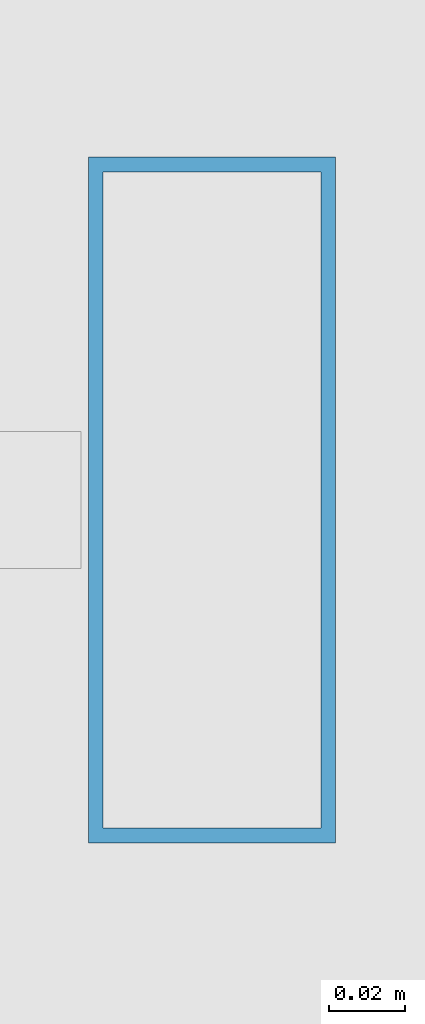
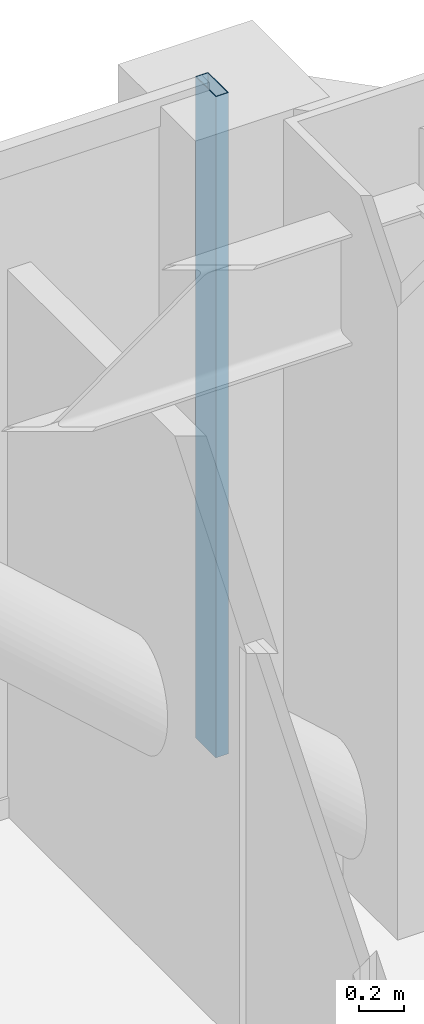
# One storey, part 27 of 36: 1 member, 1 element without a shape of its own.
"""IFC4 building model written with IfcOpenShell, lengths in metres."""

from ifc_helpers import new_model, si_unit, direction, frame, origin, origin_2d, place, context, subcontext, project, spatial, hollow_rectangle, extrude, material, material_profile, profile_set, type_object, element, aggregate, save


model = new_model("IFC4")

# Units and contexts
model_context = context("Model", 3, precision=1e-05, world=origin(), true_north=direction((0.0, 1.0)))
body_context = subcontext(model_context, "Body", "Model", "MODEL_VIEW")
ifc_project = project(units=[si_unit("LENGTHUNIT", "METRE"), si_unit("AREAUNIT", "SQUARE_METRE"), si_unit("VOLUMEUNIT", "CUBIC_METRE"), si_unit("PLANEANGLEUNIT", "RADIAN"), si_unit("MASSUNIT", "GRAM", prefix="KILO")], contexts=[model_context])

# Site, building, storey
site_placement = place(None, origin())
site = spatial("IfcSite", under=ifc_project, at=site_placement, CompositionType="ELEMENT")
building_placement = place(site_placement, origin())
building = spatial("IfcBuilding", under=site, at=building_placement, Name="Saevonmaru Cultural Tower", CompositionType="ELEMENT")
storey_placement = place(building_placement, frame((0.0, 0.0, 171.39990234375)))
storey = spatial("IfcBuildingStorey", under=building, at=storey_placement, Name="L38", CompositionType="ELEMENT", Elevation=171.39990234375)

# Curtain wall, member
ifc_material = material(Name="Satin Bronze Anodised Aluminium", Category="aluminium")
curtain_wall_type = type_object("IfcCurtainWallType", Name="CW-TYP-A", PredefinedType="NOTDEFINED", material=ifc_material)
curtain_wall_placement = place(storey_placement, origin())
curtain_wall = element("IfcCurtainWall", 1, at=curtain_wall_placement, inside=storey, type_object=curtain_wall_type, Name="L38 East Braced Bay Spandrel Curtain Wall E10A", PredefinedType="NOTDEFINED")
ifc_material_profile = material_profile(ifc_material, hollow_rectangle(XDim=0.06494140625, YDim=0.179931640625, WallThickness=0.00390625, at=origin_2d()), Name="ALU-MULL-180x65x4")
ifc_profile_set = profile_set([ifc_material_profile], Name="Satin Bronze Anodised Aluminium")
member_type = type_object("IfcMemberType", Name="ML-CW-180x65", PredefinedType="MULLION", material=ifc_profile_set)
member_placement = place(storey_placement, frame((52.739990234375, 56.0, 0.0), z_axis=(0.0, 0.0, 1.0), x_axis=(-1.0, 0.0, 0.0)))
member = element("IfcMember", 2, at=member_placement, type_object=member_type, Name="CW-TW-L38-E10A mullion 1", PredefinedType="MULLION", context=body_context, shape_type="SweptSolid", body=[
    extrude(hollow_rectangle(XDim=0.06494140625, YDim=0.179931640625, WallThickness=0.00390625, at=origin_2d()), origin(), (0.0, 0.0, 1.0), 3.550048828125),
])
aggregate(curtain_wall, [member])

save(model, "model.ifc")
